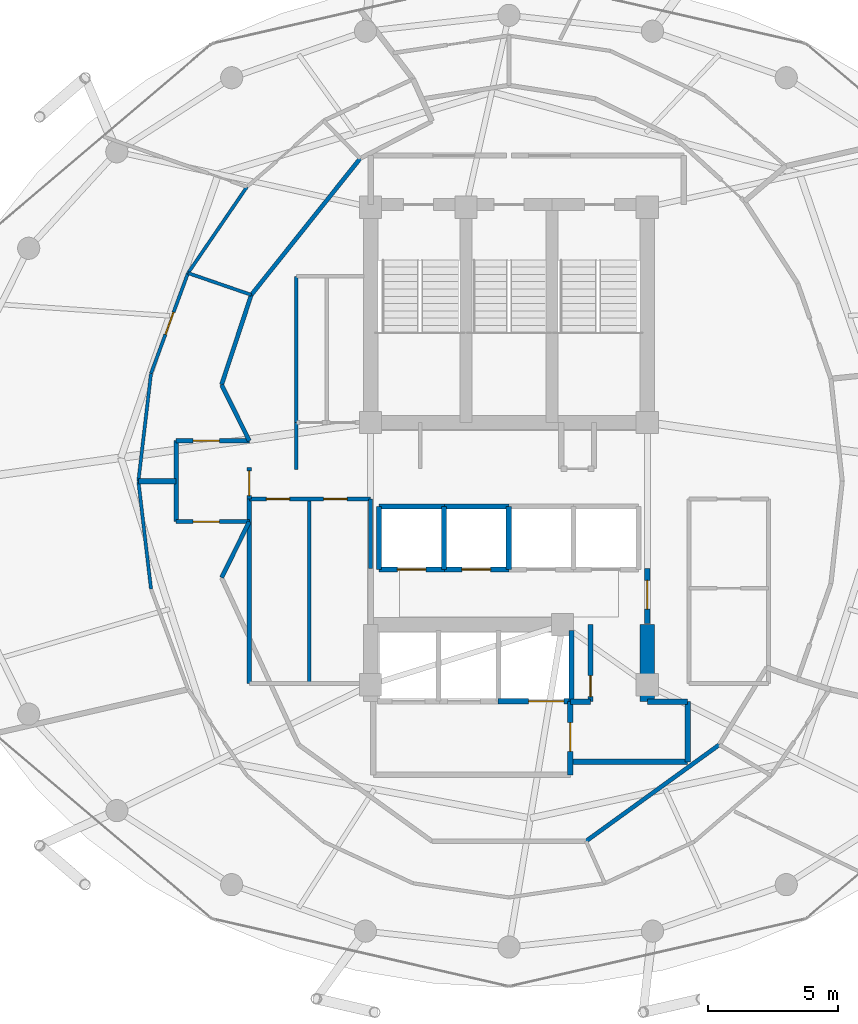
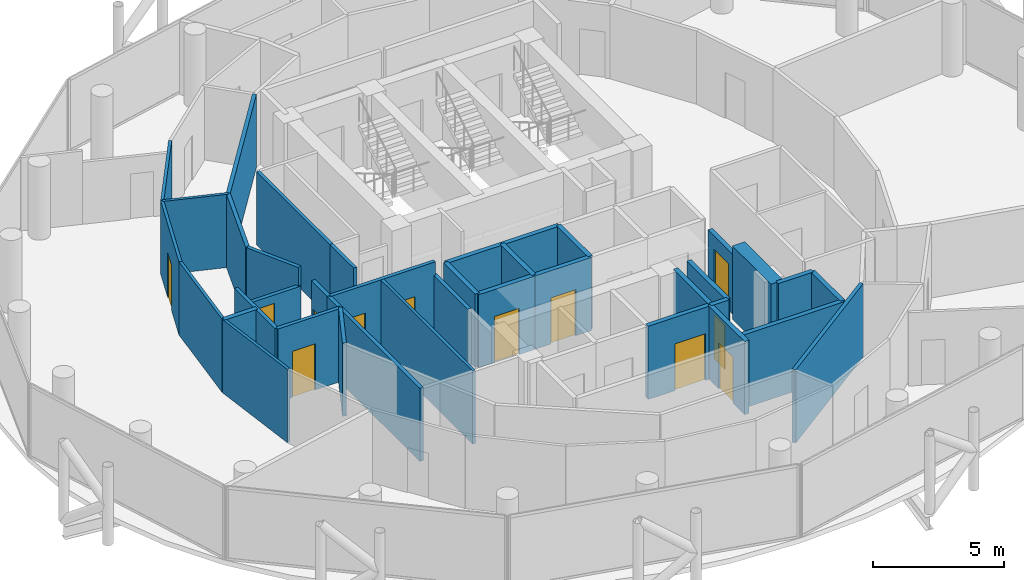
# One storey, part 23 of 27: 38 walls, 12 doors, 12 openings.
"""IFC4 building model written with IfcOpenShell, lengths in metres."""

import ifcopenshell
import ifcopenshell.guid

model = None  # the IFC model being written
_history = None  # IfcOwnerHistory: only IFC2X3 demands one
_inside = {}  # id of a spatial element -> (the spatial element, [elements in it])
_under = {}  # id of a project, library or spatial element -> (it, [spatial elements below it])
_declared = {}  # id of a project -> (the project, [libraries it declares])
_typed = {}  # id of a type object -> (the type object, [elements of that type])
_made_of = {}  # id of a material, layer set ... -> (it, [elements and type objects made of it])


def new_model(schema):
    """Start an empty IFC model of exactly this schema.

    Asked for "IFC4X3", IfcOpenShell would pick the latest addendum, in which some entities
    have other attributes; the version numbers below select the first issue.
    IFC2X3 requires an IfcOwnerHistory on every rooted entity: one is made here for all.
    """
    global model, _history
    if schema == "IFC4X3":
        model = ifcopenshell.file(schema_version=(4, 3, 0, 0))
    else:
        model = ifcopenshell.file(schema=schema)
    _inside.clear()
    _under.clear()
    _declared.clear()
    _typed.clear()
    _made_of.clear()
    _history = None
    if model.schema == "IFC2X3":
        org = make("IfcOrganization", Name="unknown")
        user = make(
            "IfcPersonAndOrganization",
            ThePerson=make("IfcPerson", FamilyName="unknown"),
            TheOrganization=org,
        )
        app = make(
            "IfcApplication",
            ApplicationDeveloper=org,
            Version="unknown",
            ApplicationFullName="unknown",
            ApplicationIdentifier="unknown",
        )
        _history = make(
            "IfcOwnerHistory",
            OwningUser=user,
            OwningApplication=app,
            ChangeAction="ADDED",
            CreationDate=0,
        )
    return model


def make(cls, **values):
    """One entity of the class cls with the attributes given. An attribute that is None is left unset."""
    return model.create_entity(
        cls, **{name: value for name, value in values.items() if value is not None}
    )


def rooted(cls, **values):
    """An entity with a GlobalId (a new one), such as an element, a storey or a relation."""
    return make(cls, GlobalId=ifcopenshell.guid.new(), OwnerHistory=_history, **values)


def si_unit(unit_type, name, prefix=None):
    """IfcSIUnit, for example si_unit("LENGTHUNIT", "METRE", prefix="MILLI")."""
    return make("IfcSIUnit", UnitType=unit_type, Prefix=prefix, Name=name)


def assignment(units):
    """IfcUnitAssignment: the units of a project."""
    return None if units is None else make("IfcUnitAssignment", Units=units)


def point(xyz):
    """IfcCartesianPoint."""
    return None if xyz is None else make("IfcCartesianPoint", Coordinates=xyz)


def direction(xyz):
    """IfcDirection."""
    return None if xyz is None else make("IfcDirection", DirectionRatios=xyz)


def frame(location, z_axis=None, x_axis=None):
    """IfcAxis2Placement3D, a coordinate frame: its origin and axes. An axis left out is left unset."""
    return make(
        "IfcAxis2Placement3D",
        Location=point(location),
        Axis=direction(z_axis),
        RefDirection=direction(x_axis),
    )


def frame_2d(location, x_axis=None):
    """IfcAxis2Placement2D, a coordinate frame in the plane: its origin and x axis."""
    return make(
        "IfcAxis2Placement2D", Location=point(location), RefDirection=direction(x_axis)
    )


def origin():
    """The frame at (0, 0, 0) with its axes left unset."""
    return frame((0.0, 0.0, 0.0))


def place(relative_to, where):
    """IfcLocalPlacement: puts the frame where relative to a parent placement (None: the world)."""
    return make(
        "IfcLocalPlacement", PlacementRelTo=relative_to, RelativePlacement=where
    )


def context(
    kind, dimensions, precision=None, world=None, true_north=None, identifier=None
):
    """IfcGeometricRepresentationContext, for example the 3D "Model" context."""
    return make(
        "IfcGeometricRepresentationContext",
        ContextIdentifier=identifier,
        ContextType=kind,
        CoordinateSpaceDimension=dimensions,
        Precision=precision,
        WorldCoordinateSystem=world,
        TrueNorth=true_north,
    )


def subcontext(parent, identifier, kind, view, scale=None):
    """IfcGeometricRepresentationSubContext, for example "Body" below "Model"."""
    return make(
        "IfcGeometricRepresentationSubContext",
        ContextIdentifier=identifier,
        ContextType=kind,
        ParentContext=parent,
        TargetScale=scale,
        TargetView=view,
    )


def project(units=None, contexts=None):
    """IfcProject with its units and contexts."""
    return rooted(
        "IfcProject",
        Name="project",
        RepresentationContexts=contexts,
        UnitsInContext=assignment(units),
    )


def spatial(cls, under=None, at=None, **own):
    """A site, building, storey or space (cls), placed at a placement, below another one or the project."""
    s = rooted(cls, ObjectPlacement=at, **own)
    if under is not None:
        _under.setdefault(under.id(), (under, []))[1].append(s)
    return s


def profile(cls, at=None, kind="AREA", **sizes):
    """A parametric profile (cls). Its sizes go by their IFC names, for example OverallWidth=200.0."""
    return make(cls, ProfileType=kind, Position=at, **sizes)


def rectangle(**sizes):
    """IfcRectangleProfileDef."""
    return profile("IfcRectangleProfileDef", **sizes)


def extrude(swept, where, along, depth):
    """IfcExtrudedAreaSolid: the profile swept, set in the frame where, extruded along a direction by depth."""
    return make(
        "IfcExtrudedAreaSolid",
        SweptArea=swept,
        Position=where,
        ExtrudedDirection=direction(along),
        Depth=depth,
    )


def shape(context_of_items, identifier, shape_type, items):
    """IfcShapeRepresentation: the items that make up one representation, for example the "Body"."""
    return make(
        "IfcShapeRepresentation",
        ContextOfItems=context_of_items,
        RepresentationIdentifier=identifier,
        RepresentationType=shape_type,
        Items=items,
    )


def material(Name=None, Category=None):
    """IfcMaterial."""
    return make("IfcMaterial", Name=Name, Category=Category)


def layer(
    of_material, thickness, ventilated=None, Name=None, Category=None, Priority=None
):
    """IfcMaterialLayer: one layer of a wall or slab, of a material (None: an air gap)."""
    return make(
        "IfcMaterialLayer",
        Material=of_material,
        LayerThickness=thickness,
        IsVentilated=ventilated,
        Name=Name,
        Category=Category,
        Priority=Priority,
    )


def layer_set(layers, Name=None):
    """IfcMaterialLayerSet."""
    return make("IfcMaterialLayerSet", MaterialLayers=layers, LayerSetName=Name)


def made_of(thing, what):
    """Note that an element or type object is made of a material, layer set ...; save() writes the relation."""
    if what is not None:
        _made_of.setdefault(what.id(), (what, []))[1].append(thing)
    return thing


def type_object(cls, material=None, **own):
    """A type object (cls), such as IfcWallType, which elements share."""
    return made_of(rooted(cls, **own), material)


def element(
    cls,
    number,
    at=None,
    inside=None,
    cuts=None,
    type_object=None,
    material=None,
    context=None,
    identifier="Body",
    shape_type=None,
    held_by="IfcProductDefinitionShape",
    body=None,
    shapes=None,
    **own,
):
    """One element of the class cls, such as IfcWall. Its Tag is "e" and its number.

    at: its placement. inside: the storey or other place that contains it. cuts: it is an
    opening in that element (IfcRelVoidsElement). A single representation is given by context,
    identifier, shape_type and body (its items); several are given by shapes. held_by: the class
    of the entity that holds the representations. save() writes the other relations.
    """
    e = rooted(cls, Tag="e%d" % number, ObjectPlacement=at, **own)
    if body is not None:
        shapes = [shape(context, identifier, shape_type, body)]
    if shapes is not None:
        e.Representation = make(held_by, Representations=shapes)
    if inside is not None:
        _inside.setdefault(inside.id(), (inside, []))[1].append(e)
    if cuts is not None:
        rooted(
            "IfcRelVoidsElement", RelatingBuildingElement=cuts, RelatedOpeningElement=e
        )
    if type_object is not None:
        _typed.setdefault(type_object.id(), (type_object, []))[1].append(e)
    return made_of(e, material)


def fill(opening, filler):
    """IfcRelFillsElement: the door or window that sits in an opening."""
    return rooted(
        "IfcRelFillsElement",
        RelatingOpeningElement=opening,
        RelatedBuildingElement=filler,
    )


def aggregate(whole, parts):
    """IfcRelAggregates: a whole, such as a stair, and the parts it consists of."""
    return rooted("IfcRelAggregates", RelatingObject=whole, RelatedObjects=parts)


def save(model, path):
    """Write the relations noted so far, then the file.

    IfcRelAggregates (storeys below a building ...), IfcRelContainedInSpatialStructure (elements
    in a storey), IfcRelDefinesByType, IfcRelAssociatesMaterial and IfcRelDeclares: one each for
    every whole, place, type object, material and project.
    """
    for whole, parts in _under.values():
        aggregate(whole, parts)
    for where, things in _inside.values():
        rooted(
            "IfcRelContainedInSpatialStructure",
            RelatedElements=things,
            RelatingStructure=where,
        )
    for kind, things in _typed.values():
        rooted("IfcRelDefinesByType", RelatedObjects=things, RelatingType=kind)
    for what, things in _made_of.values():
        rooted("IfcRelAssociatesMaterial", RelatedObjects=things, RelatingMaterial=what)
    for by, libraries in _declared.values():
        rooted("IfcRelDeclares", RelatingContext=by, RelatedDefinitions=libraries)
    model.write(path)


model = new_model("IFC4")

# Units and contexts
model_context = context("Model", 3, precision=1e-05, world=origin(), true_north=direction((0.0, 1.0)))
body_context = subcontext(model_context, "Body", "Model", "MODEL_VIEW")
ifc_project = project(units=[si_unit("LENGTHUNIT", "METRE"), si_unit("AREAUNIT", "SQUARE_METRE"), si_unit("VOLUMEUNIT", "CUBIC_METRE"), si_unit("PLANEANGLEUNIT", "RADIAN"), si_unit("MASSUNIT", "GRAM", prefix="KILO")], contexts=[model_context])

# Site, building, storey
site_placement = place(None, origin())
site = spatial("IfcSite", under=ifc_project, at=site_placement, CompositionType="ELEMENT")
building_placement = place(site_placement, origin())
building = spatial("IfcBuilding", under=site, at=building_placement, Name="Nuhasar Tower", CompositionType="ELEMENT")
storey_placement = place(building_placement, frame((0.0, 0.0, 215.449951171875)))
storey = spatial("IfcBuildingStorey", under=building, at=storey_placement, Name="L52", CompositionType="ELEMENT", Elevation=215.449951171875)

# Walls
ifc_material_1 = material(Name="Concrete C55/67", Category="concrete")
ifc_layer_1 = layer(ifc_material_1, 0.550048828125)
ifc_layer_set_1 = layer_set([ifc_layer_1], Name="Concrete C55/67")
wall_type_1 = type_object("IfcWallType", Name="WL-CORE-550", PredefinedType="SHEAR", material=ifc_layer_set_1)
wall_1_placement = place(storey_placement, frame((44.300048828125, 18.35009765625, 0.0), z_axis=(0.0, 0.0, 1.0), x_axis=(0.0, 1.0, 0.0)))
element("IfcWall", 1, at=wall_1_placement, inside=storey, type_object=wall_type_1, Name="L52 Core Shear Wall CW-SE CW-550", PredefinedType="SHEAR", context=body_context, shape_type="SweptSolid", body=[
    extrude(rectangle(XDim=2.949951171875, YDim=0.550048828125, at=frame_2d((1.47509765625, 0.0))), origin(), (0.0, 0.0, 1.0), 3.41015625),
])
ifc_material_2 = material(Name="Gypsum Board", Category="gypsum")
ifc_layer_2 = layer(ifc_material_2, 0.159912109375)
ifc_layer_set_2 = layer_set([ifc_layer_2], Name="Gypsum Board")
wall_type_2 = type_object("IfcWallType", Name="WL-CORR-160", PredefinedType="PARTITIONING", material=ifc_layer_set_2)
wall_2_placement = place(storey_placement, frame((29.050048828125, 19.050048828125, 0.0), z_axis=(0.0, 0.0, 1.0), x_axis=(0.0, 1.0, 0.0)))
element("IfcWall", 2, at=wall_2_placement, inside=storey, type_object=wall_type_2, Name="L52 Interior Partition RECL-B1-W", PredefinedType="PARTITIONING", context=body_context, shape_type="SweptSolid", body=[
    extrude(rectangle(XDim=7.070068359375, YDim=0.159912109375, at=frame_2d((3.53515625, 0.0))), origin(), (0.0, 0.0, 1.0), 3.41015625),
])
wall_3_placement = place(storey_placement, frame((33.699951171875, 23.449951171875, 0.0), z_axis=(0.0, 0.0, 1.0), x_axis=(0.0, 1.0, 0.0)))
element("IfcWall", 3, at=wall_3_placement, inside=storey, type_object=wall_type_2, Name="L52 Interior Partition RECL-B1-E", PredefinedType="PARTITIONING", context=body_context, shape_type="SweptSolid", body=[
    extrude(rectangle(XDim=2.670166015625, YDim=0.159912109375, at=frame_2d((1.3349609375, 0.0))), origin(), (0.0, 0.0, 1.0), 2.795166015625),
])

# Wall, openings, doors
wall_4_placement = place(storey_placement, frame((33.699951171875, 26.1201171875, 0.0), z_axis=(0.0, 0.0, 1.0), x_axis=(-1.0, 0.0, 0.0)))
wall_4 = element("IfcWall", 4, at=wall_4_placement, inside=storey, type_object=wall_type_2, Name="L52 Interior Partition RECL-B1-N", PredefinedType="PARTITIONING", context=body_context, shape_type="SweptSolid", body=[
    extrude(rectangle(XDim=4.64990234375, YDim=0.159912109375, at=frame_2d((2.324951171875, 0.0))), origin(), (0.0, 0.0, 1.0), 3.41015625),
])
opening_1_placement = place(wall_4_placement, frame((3.10009765625, 0.0, 0.0)))
opening_1 = element("IfcOpeningElement", 5, at=opening_1_placement, cuts=wall_4, Name="Opening DR-01", PredefinedType="OPENING", context=body_context, shape_type="SweptSolid", body=[
    extrude(rectangle(XDim=0.89990234375, YDim=2.10009765625, at=frame_2d((0.449951171875, 1.050048828125))), frame((0.0, 0.08984375, 0.0), z_axis=(0.0, -1.0, 0.0), x_axis=(1.0, 0.0, 0.0)), (0.0, 0.0, 1.0), 0.179931640625),
])
opening_2_placement = place(wall_4_placement, frame((0.89990234375, 0.0, 0.0)))
opening_2 = element("IfcOpeningElement", 6, at=opening_2_placement, cuts=wall_4, Name="Opening DR-01", PredefinedType="OPENING", context=body_context, shape_type="SweptSolid", body=[
    extrude(rectangle(XDim=0.89990234375, YDim=2.10009765625, at=frame_2d((0.449951171875, 1.050048828125))), frame((0.0, 0.08984375, 0.0), z_axis=(0.0, -1.0, 0.0), x_axis=(1.0, 0.0, 0.0)), (0.0, 0.0, 1.0), 0.179931640625),
])
ifc_material_3 = material(Name="Timber Oak", Category="wood")
door_type_1 = type_object("IfcDoorType", Name="DR-ROOM-900", OperationType="NOTDEFINED", PredefinedType="DOOR", material=ifc_material_3)
door_1_placement = place(opening_1_placement, origin())
door_1 = element("IfcDoor", 7, at=door_1_placement, inside=storey, type_object=door_type_1, Name="L52 Housekeeping Door", OperationType="SINGLE_SWING_RIGHT", OverallHeight=2.10009765625, OverallWidth=0.89990234375, PredefinedType="DOOR", context=body_context, shape_type="SweptSolid", body=[
    extrude(rectangle(XDim=0.89990234375, YDim=2.10009765625, at=frame_2d((0.449951171875, 1.050048828125))), frame((0.0, 0.02490234375, 0.0), z_axis=(0.0, -1.0, 0.0), x_axis=(1.0, 0.0, 0.0)), (0.0, 0.0, 1.0), 0.050048828125),
])
fill(opening_1, door_1)
door_2_placement = place(opening_2_placement, origin())
door_2 = element("IfcDoor", 8, at=door_2_placement, inside=storey, type_object=door_type_1, Name="L52 Valet Pantry Door", OperationType="SINGLE_SWING_LEFT", OverallHeight=2.10009765625, OverallWidth=0.89990234375, PredefinedType="DOOR", context=body_context, shape_type="SweptSolid", body=[
    extrude(rectangle(XDim=0.89990234375, YDim=2.10009765625, at=frame_2d((0.449951171875, 1.050048828125))), frame((0.0, 0.02490234375, 0.0), z_axis=(0.0, -1.0, 0.0), x_axis=(1.0, 0.0, 0.0)), (0.0, 0.0, 1.0), 0.050048828125),
])
fill(opening_2, door_2)

# Wall, opening, door
wall_5_placement = place(storey_placement, frame((29.050048828125, 26.1201171875, 0.0), z_axis=(0.0, 0.0, 1.0), x_axis=(0.0, 1.0, 0.0)))
wall_5 = element("IfcWall", 9, at=wall_5_placement, inside=storey, type_object=wall_type_2, Name="L52 Interior Partition WVEST-E", PredefinedType="PARTITIONING", context=body_context, shape_type="SweptSolid", body=[
    extrude(rectangle(XDim=1.199951171875, YDim=0.159912109375, at=frame_2d((0.60009765625, 0.0))), origin(), (0.0, 0.0, 1.0), 3.41015625),
])
opening_3_placement = place(wall_5_placement, frame((0.125, 0.0, 0.0)))
opening_3 = element("IfcOpeningElement", 10, at=opening_3_placement, cuts=wall_5, Name="Opening DO-01", PredefinedType="OPENING", context=body_context, shape_type="SweptSolid", body=[
    extrude(rectangle(XDim=0.949951171875, YDim=2.14990234375, at=frame_2d((0.47509765625, 1.074951171875))), frame((0.0, 0.08984375, 0.0), z_axis=(0.0, -1.0, 0.0), x_axis=(1.0, 0.0, 0.0)), (0.0, 0.0, 1.0), 0.179931640625),
])
door_type_2 = type_object("IfcDoorType", Name="DR-OFFICE-FD30-950", OperationType="NOTDEFINED", PredefinedType="DOOR", material=ifc_material_3)
door_3_placement = place(opening_3_placement, origin())
door_3 = element("IfcDoor", 11, at=door_3_placement, inside=storey, type_object=door_type_2, Name="L52 West Arrival Foyer Core Door", OperationType="SINGLE_SWING_RIGHT", OverallHeight=2.14990234375, OverallWidth=0.949951171875, PredefinedType="DOOR", context=body_context, shape_type="SweptSolid", body=[
    extrude(rectangle(XDim=0.949951171875, YDim=2.14990234375, at=frame_2d((0.47509765625, 1.074951171875))), frame((0.0, 0.02490234375, 0.0), z_axis=(0.0, -1.0, 0.0), x_axis=(1.0, 0.0, 0.0)), (0.0, 0.0, 1.0), 0.050048828125),
])
fill(opening_3, door_3)

# Walls
wall_6_placement = place(storey_placement, frame((33.300048828125, 39.1669921875, 0.0), z_axis=(0.0, 0.0, 1.0), x_axis=(-0.623915746766, -0.781491612839, 0.0)))
element("IfcWall", 12, at=wall_6_placement, inside=storey, type_object=wall_type_2, Name="L52 Interior Partition UWEST-CORE-N2-16", PredefinedType="PARTITIONING", context=body_context, shape_type="SweptSolid", body=[
    extrude(rectangle(XDim=6.6884765625, YDim=0.159912109375, at=frame_2d((3.34423828125, 0.0))), origin(), (0.0, 0.0, 1.0), 3.41015625),
])
wall_7_placement = place(storey_placement, frame((29.126953125, 33.93994140625, 0.0), z_axis=(0.0, 0.0, 1.0), x_axis=(-0.313985571683, -0.949427754374, 0.0)))
element("IfcWall", 13, at=wall_7_placement, inside=storey, type_object=wall_type_2, Name="L52 Interior Partition UWEST-CORE-N2-20", PredefinedType="PARTITIONING", context=body_context, shape_type="SweptSolid", body=[
    extrude(rectangle(XDim=3.627197265625, YDim=0.159912109375, at=frame_2d((1.8134765625, 0.0))), origin(), (0.0, 0.0, 1.0), 3.41015625),
])
wall_8_placement = place(storey_placement, frame((41.950927734375, 13.007080078125, 0.0), z_axis=(0.0, 0.0, 1.0), x_axis=(0.810290119061, 0.586028943784, 0.0)))
element("IfcWall", 14, at=wall_8_placement, inside=storey, type_object=wall_type_2, Name="L52 Interior Partition UWEST-CORE-S1-38", PredefinedType="PARTITIONING", context=body_context, shape_type="SweptSolid", body=[
    extrude(rectangle(XDim=6.306396484375, YDim=0.159912109375, at=frame_2d((3.1533203125, 0.0))), origin(), (0.0, 0.0, 1.0), 3.41015625),
])

# Wall, opening, door
wall_9_placement = place(storey_placement, frame((26.25, 28.35009765625, 0.0), z_axis=(0.0, 0.0, 1.0), x_axis=(1.0, 0.0, 0.0)))
wall_9 = element("IfcWall", 15, at=wall_9_placement, inside=storey, type_object=wall_type_2, Name="L52 Interior Partition WVEST-N", PredefinedType="PARTITIONING", context=body_context, shape_type="SweptSolid", body=[
    extrude(rectangle(XDim=2.800048828125, YDim=0.159912109375, at=frame_2d((1.39990234375, 0.0))), origin(), (0.0, 0.0, 1.0), 2.550048828125),
])
opening_4_placement = place(wall_9_placement, frame((0.64990234375, 0.0, 0.0)))
opening_4 = element("IfcOpeningElement", 16, at=opening_4_placement, cuts=wall_9, Name="Opening DU-02", PredefinedType="OPENING", context=body_context, shape_type="SweptSolid", body=[
    extrude(rectangle(XDim=1.0, YDim=2.14990234375, at=frame_2d((0.5, 1.074951171875))), frame((0.0, 0.08984375, 0.0), z_axis=(0.0, -1.0, 0.0), x_axis=(1.0, 0.0, 0.0)), (0.0, 0.0, 1.0), 0.179931640625),
])
door_type_3 = type_object("IfcDoorType", Name="DR-FLAT-FD60-1000", OperationType="NOTDEFINED", PredefinedType="DOOR", material=ifc_material_3)
door_4_placement = place(opening_4_placement, origin())
door_4 = element("IfcDoor", 17, at=door_4_placement, inside=storey, type_object=door_type_3, Name="L52 North-West Sky Home Entrance", OperationType="SINGLE_SWING_LEFT", OverallHeight=2.14990234375, OverallWidth=1.0, PredefinedType="DOOR", context=body_context, shape_type="SweptSolid", body=[
    extrude(rectangle(XDim=1.0, YDim=2.14990234375, at=frame_2d((0.5, 1.074951171875))), frame((0.0, 0.02490234375, 0.0), z_axis=(0.0, -1.0, 0.0), x_axis=(1.0, 0.0, 0.0)), (0.0, 0.0, 1.0), 0.050048828125),
])
fill(opening_4, door_4)

wall_10_placement = place(storey_placement, frame((26.25, 25.25, 0.0), z_axis=(0.0, 0.0, 1.0), x_axis=(1.0, 0.0, 0.0)))
wall_10 = element("IfcWall", 18, at=wall_10_placement, inside=storey, type_object=wall_type_2, Name="L52 Interior Partition WVEST-S", PredefinedType="PARTITIONING", context=body_context, shape_type="SweptSolid", body=[
    extrude(rectangle(XDim=2.800048828125, YDim=0.159912109375, at=frame_2d((1.39990234375, 0.0))), origin(), (0.0, 0.0, 1.0), 3.41015625),
])
opening_5_placement = place(wall_10_placement, frame((0.64990234375, 0.0, 0.0)))
opening_5 = element("IfcOpeningElement", 19, at=opening_5_placement, cuts=wall_10, Name="Opening DU-02", PredefinedType="OPENING", context=body_context, shape_type="SweptSolid", body=[
    extrude(rectangle(XDim=1.0, YDim=2.14990234375, at=frame_2d((0.5, 1.074951171875))), frame((0.0, 0.08984375, 0.0), z_axis=(0.0, -1.0, 0.0), x_axis=(1.0, 0.0, 0.0)), (0.0, 0.0, 1.0), 0.179931640625),
])
door_5_placement = place(opening_5_placement, origin())
door_5 = element("IfcDoor", 20, at=door_5_placement, inside=storey, type_object=door_type_3, Name="L52 South-West Sky Home Entrance", OperationType="SINGLE_SWING_LEFT", OverallHeight=2.14990234375, OverallWidth=1.0, PredefinedType="DOOR", context=body_context, shape_type="SweptSolid", body=[
    extrude(rectangle(XDim=1.0, YDim=2.14990234375, at=frame_2d((0.5, 1.074951171875))), frame((0.0, 0.02490234375, 0.0), z_axis=(0.0, -1.0, 0.0), x_axis=(1.0, 0.0, 0.0)), (0.0, 0.0, 1.0), 0.050048828125),
])
fill(opening_5, door_5)

# Walls
wall_11_placement = place(storey_placement, frame((26.25, 25.25, 0.0), z_axis=(0.0, 0.0, 1.0), x_axis=(0.0, 1.0, 0.0)))
element("IfcWall", 21, at=wall_11_placement, inside=storey, type_object=wall_type_2, Name="L52 Interior Partition WVEST-W", PredefinedType="PARTITIONING", context=body_context, shape_type="SweptSolid", body=[
    extrude(rectangle(XDim=3.10009765625, YDim=0.159912109375, at=frame_2d((1.550048828125, 0.0))), origin(), (0.0, 0.0, 1.0), 3.41015625),
])
for number, where, z_axis, x_axis, name in (
    (22, (27.988037109375, 30.49609375, 0.0), (0.0, 0.0, 1.0), (0.443539160525, -0.896254993337, 0.0), "L52 Interior Partition WVEST-CN"),
    (23, (27.988037109375, 23.10400390625, 0.0), (0.0, 0.0, 1.0), (0.443539160525, 0.896254993337, 0.0), "L52 Interior Partition WVEST-CS"),
):
    element("IfcWall", number, at=place(storey_placement, frame(where, z_axis=z_axis, x_axis=x_axis)), inside=storey, type_object=wall_type_2, Name=name, PredefinedType="PARTITIONING", context=body_context, shape_type="SweptSolid", body=[
        extrude(rectangle(XDim=2.394287109375, YDim=0.159912109375, at=frame_2d((1.197265625, 0.0))), origin(), (0.0, 0.0, 1.0), 3.41015625),
    ])

# Wall, opening, door
ifc_material_4 = material(Name="Concrete C45/55", Category="concrete")
ifc_layer_3 = layer(ifc_material_4, 0.199951171875)
ifc_layer_set_3 = layer_set([ifc_layer_3], Name="Concrete C45/55")
wall_type_3 = type_object("IfcWallType", Name="WL-LOBBY-200", PredefinedType="SOLIDWALL", material=ifc_layer_set_3)
wall_12_placement = place(storey_placement, frame((44.300048828125, 21.35009765625, 0.0), z_axis=(0.0, 0.0, 1.0), x_axis=(0.0, 1.0, 0.0)))
wall_12 = element("IfcWall", 24, at=wall_12_placement, inside=storey, type_object=wall_type_3, Name="L52 Interior Partition LLBH-E", PredefinedType="SOLIDWALL", context=body_context, shape_type="SweptSolid", body=[
    extrude(rectangle(XDim=2.099853515625, YDim=0.199951171875, at=frame_2d((1.0498046875, 0.0))), origin(), (0.0, 0.0, 1.0), 2.795166015625),
])
opening_6_placement = place(wall_12_placement, frame((0.550048828125, 0.0, 0.0)))
opening_6 = element("IfcOpeningElement", 25, at=opening_6_placement, cuts=wall_12, Name="Opening DS-02", PredefinedType="OPENING", context=body_context, shape_type="SweptSolid", body=[
    extrude(rectangle(XDim=1.10009765625, YDim=2.14990234375, at=frame_2d((0.550048828125, 1.074951171875))), frame((0.0, 0.10986328125, 0.0), z_axis=(0.0, -1.0, 0.0), x_axis=(1.0, 0.0, 0.0)), (0.0, 0.0, 1.0), 0.219970703125),
])
ifc_material_5 = material(Name="Steel S355", Category="steel")
door_type_4 = type_object("IfcDoorType", Name="DR-FFL-FD120-1100", OperationType="NOTDEFINED", PredefinedType="DOOR", material=ifc_material_5)
door_6_placement = place(opening_6_placement, origin())
door_6 = element("IfcDoor", 26, at=door_6_placement, inside=storey, type_object=door_type_4, Name="L52 High-Rise Lobby East Door", OperationType="SINGLE_SWING_RIGHT", OverallHeight=2.14990234375, OverallWidth=1.10009765625, PredefinedType="DOOR", context=body_context, shape_type="SweptSolid", body=[
    extrude(rectangle(XDim=1.10009765625, YDim=2.14990234375, at=frame_2d((0.550048828125, 1.074951171875))), frame((0.0, 0.02490234375, 0.0), z_axis=(0.0, -1.0, 0.0), x_axis=(1.0, 0.0, 0.0)), (0.0, 0.0, 1.0), 0.050048828125),
])
fill(opening_6, door_6)

wall_13_placement = place(storey_placement, frame((41.35009765625, 15.550048828125, 0.0), z_axis=(0.0, 0.0, 1.0), x_axis=(0.0, 1.0, 0.0)))
wall_13 = element("IfcWall", 27, at=wall_13_placement, inside=storey, type_object=wall_type_3, Name="L52 Interior Partition FFL-E", PredefinedType="SOLIDWALL", context=body_context, shape_type="SweptSolid", body=[
    extrude(rectangle(XDim=2.800048828125, YDim=0.199951171875, at=frame_2d((1.39990234375, 0.0))), origin(), (0.0, 0.0, 1.0), 3.41015625),
])
opening_7_placement = place(wall_13_placement, frame((0.89990234375, 0.0, 0.0)))
opening_7 = element("IfcOpeningElement", 28, at=opening_7_placement, cuts=wall_13, Name="Opening DS-02", PredefinedType="OPENING", context=body_context, shape_type="SweptSolid", body=[
    extrude(rectangle(XDim=1.10009765625, YDim=2.14990234375, at=frame_2d((0.550048828125, 1.074951171875))), frame((0.0, 0.10986328125, 0.0), z_axis=(0.0, -1.0, 0.0), x_axis=(1.0, 0.0, 0.0)), (0.0, 0.0, 1.0), 0.219970703125),
])
door_7_placement = place(opening_7_placement, origin())
door_7 = element("IfcDoor", 29, at=door_7_placement, inside=storey, type_object=door_type_4, Name="L52 Firefighting Lobby Door", OperationType="SINGLE_SWING_RIGHT", OverallHeight=2.14990234375, OverallWidth=1.10009765625, PredefinedType="DOOR", context=body_context, shape_type="SweptSolid", body=[
    extrude(rectangle(XDim=1.10009765625, YDim=2.14990234375, at=frame_2d((0.550048828125, 1.074951171875))), frame((0.0, 0.02490234375, 0.0), z_axis=(0.0, -1.0, 0.0), x_axis=(1.0, 0.0, 0.0)), (0.0, 0.0, 1.0), 0.050048828125),
])
fill(opening_7, door_7)

# Walls
wall_14_placement = place(storey_placement, frame((41.35009765625, 16.050048828125, 0.0), z_axis=(0.0, 0.0, 1.0), x_axis=(1.0, 0.0, 0.0)))
element("IfcWall", 30, at=wall_14_placement, inside=storey, type_object=wall_type_3, Name="L52 Interior Partition SVLV-S", PredefinedType="SOLIDWALL", context=body_context, shape_type="SweptSolid", body=[
    extrude(rectangle(XDim=4.5, YDim=0.199951171875, at=frame_2d((2.25, 0.0))), origin(), (0.0, 0.0, 1.0), 3.41015625),
])
wall_15_placement = place(storey_placement, frame((45.85009765625, 16.050048828125, 0.0), z_axis=(0.0, 0.0, 1.0), x_axis=(0.0, 1.0, 0.0)))
element("IfcWall", 31, at=wall_15_placement, inside=storey, type_object=wall_type_3, Name="L52 Interior Partition SVLV-E", PredefinedType="SOLIDWALL", context=body_context, shape_type="SweptSolid", body=[
    extrude(rectangle(XDim=2.300048828125, YDim=0.199951171875, at=frame_2d((1.14990234375, 0.0))), origin(), (0.0, 0.0, 1.0), 3.41015625),
])
wall_16_placement = place(storey_placement, frame((44.300048828125, 18.35009765625, 0.0), z_axis=(0.0, 0.0, 1.0), x_axis=(1.0, 0.0, 0.0)))
element("IfcWall", 32, at=wall_16_placement, inside=storey, type_object=wall_type_3, Name="L52 Interior Partition SVLV-N", PredefinedType="SOLIDWALL", context=body_context, shape_type="SweptSolid", body=[
    extrude(rectangle(XDim=1.550048828125, YDim=0.199951171875, at=frame_2d((0.77490234375, 0.0))), origin(), (0.0, 0.0, 1.0), 3.41015625),
])
ifc_layer_4 = layer(ifc_material_2, 0.125)
ifc_layer_set_4 = layer_set([ifc_layer_4], Name="Gypsum Board")
wall_type_4 = type_object("IfcWallType", Name="WL-PART-125", PredefinedType="PARTITIONING", material=ifc_layer_set_4)
wall_17_placement = place(storey_placement, frame((31.35009765625, 19.050048828125, 0.0), z_axis=(0.0, 0.0, 1.0), x_axis=(0.0, 1.0, 0.0)))
element("IfcWall", 33, at=wall_17_placement, inside=storey, type_object=wall_type_4, Name="L52 Interior Partition RECL-B1-V", PredefinedType="PARTITIONING", context=body_context, shape_type="SweptSolid", body=[
    extrude(rectangle(XDim=7.070068359375, YDim=0.125, at=frame_2d((3.53515625, 0.0))), origin(), (0.0, 0.0, 1.0), 3.41015625),
])
wall_18_placement = place(storey_placement, frame((29.126953125, 33.93994140625, 0.0), z_axis=(0.0, 0.0, 1.0), x_axis=(-0.945524617104, 0.325550608124, 0.0)))
element("IfcWall", 34, at=wall_18_placement, inside=storey, type_object=wall_type_4, Name="L52 Interior Partition USI-1-KD", PredefinedType="PARTITIONING", context=body_context, shape_type="SweptSolid", body=[
    extrude(rectangle(XDim=2.564697265625, YDim=0.125, at=frame_2d((1.2822265625, 0.0))), origin(), (0.0, 0.0, 1.0), 3.41015625),
])
wall_19_placement = place(storey_placement, frame((28.958984375, 38.077880859375, 0.0), z_axis=(0.0, 0.0, 1.0), x_axis=(-0.56419813198, -0.825639429697, 0.0)))
element("IfcWall", 35, at=wall_19_placement, inside=storey, type_object=wall_type_4, Name="L52 Interior Partition USM-1-K-18", PredefinedType="PARTITIONING", context=body_context, shape_type="SweptSolid", body=[
    extrude(rectangle(XDim=4.00048828125, YDim=0.125, at=frame_2d((2.000244140625, 0.0))), origin(), (0.0, 0.0, 1.0), 3.41015625),
])

# Wall, opening, door
wall_20_placement = place(storey_placement, frame((25.283935546875, 30.927978515625, 0.0), z_axis=(0.0, 0.0, 1.0), x_axis=(0.345851608983, 0.938289222236, 0.0)))
wall_20 = element("IfcWall", 36, at=wall_20_placement, inside=storey, type_object=wall_type_4, Name="L52 Interior Partition USM-1-D-20", PredefinedType="PARTITIONING", context=body_context, shape_type="SweptSolid", body=[
    extrude(rectangle(XDim=4.099853515625, YDim=0.125, at=frame_2d((2.0498046875, 0.0))), origin(), (0.0, 0.0, 1.0), 3.41015625),
])
opening_8_placement = place(wall_20_placement, frame((1.60009765625, 0.0, 0.0)))
opening_8 = element("IfcOpeningElement", 37, at=opening_8_placement, cuts=wall_20, Name="Opening DR-01", PredefinedType="OPENING", context=body_context, shape_type="SweptSolid", body=[
    extrude(rectangle(XDim=0.89990234375, YDim=2.10009765625, at=frame_2d((0.449951171875, 1.050048828125))), frame((0.0, 0.072509765625, 0.0), z_axis=(0.0, -1.0, 0.0), x_axis=(1.0, 0.0, 0.0)), (0.0, 0.0, 1.0), 0.14501953125),
])
door_8_placement = place(opening_8_placement, origin())
door_8 = element("IfcDoor", 38, at=door_8_placement, inside=storey, type_object=door_type_1, Name="L52 North-West Sky Home Living Door", OperationType="SINGLE_SWING_LEFT", OverallHeight=2.10009765625, OverallWidth=0.89990234375, PredefinedType="DOOR", context=body_context, shape_type="SweptSolid", body=[
    extrude(rectangle(XDim=0.89990234375, YDim=2.10009765625, at=frame_2d((0.449951171875, 1.050048828125))), frame((0.0, 0.02490234375, 0.0), z_axis=(0.0, -1.0, 0.0), x_axis=(1.0, 0.0, 0.0)), (0.0, 0.0, 1.0), 0.050048828125),
])
fill(opening_8, door_8)

# Walls
for number, where, z_axis, x_axis, name in (
    (39, (25.283935546875, 30.927978515625, 0.0), (0.0, 0.0, 1.0), (-0.116425436493, -0.993199435027, 0.0), "L52 Interior Partition USM-1-D-22"),
    (40, (24.800048828125, 26.800048828125, 0.0), (0.0, 0.0, 1.0), (0.116425436493, -0.993199435027, 0.0), "L52 Interior Partition USM-1-D-24"),
):
    element("IfcWall", number, at=place(storey_placement, frame(where, z_axis=z_axis, x_axis=x_axis)), inside=storey, type_object=wall_type_4, Name=name, PredefinedType="PARTITIONING", context=body_context, shape_type="SweptSolid", body=[
        extrude(rectangle(XDim=4.15625, YDim=0.125, at=frame_2d((2.078125, 0.0))), origin(), (0.0, 0.0, 1.0), 3.41015625),
    ])

# Wall, opening, door
ifc_layer_5 = layer(ifc_material_4, 0.199951171875)
ifc_layer_set_5 = layer_set([ifc_layer_5], Name="Concrete C45/55")
wall_type_5 = type_object("IfcWallType", Name="WL-SHAFT-200", PredefinedType="SOLIDWALL", material=ifc_layer_set_5)
wall_21_placement = place(storey_placement, frame((34.02001953125, 23.419921875, 0.0), z_axis=(0.0, 0.0, 1.0), x_axis=(1.0, 0.0, 0.0)))
wall_21 = element("IfcWall", 41, at=wall_21_placement, inside=storey, type_object=wall_type_5, Name="L52 Interior Partition SHF-PL-H01-S", PredefinedType="SOLIDWALL", context=body_context, shape_type="SweptSolid", body=[
    extrude(rectangle(XDim=2.5, YDim=0.199951171875, at=frame_2d((1.25, 0.0))), origin(), (0.0, 0.0, 1.0), 3.41015625),
])
opening_9_placement = place(wall_21_placement, frame((0.699951171875, 0.0, 0.0)))
opening_9 = element("IfcOpeningElement", 42, at=opening_9_placement, cuts=wall_21, Name="Opening LD-H01", PredefinedType="OPENING", context=body_context, shape_type="SweptSolid", body=[
    extrude(rectangle(XDim=1.10009765625, YDim=2.14990234375, at=frame_2d((0.550048828125, 1.074951171875))), frame((0.0, 0.10986328125, 0.0), z_axis=(0.0, -1.0, 0.0), x_axis=(1.0, 0.0, 0.0)), (0.0, 0.0, 1.0), 0.219970703125),
])
ifc_material_6 = material(Name="Stainless Steel 316L", Category="steel")
door_type_5 = type_object("IfcDoorType", Name="LD-PAX-1100", OperationType="DOUBLE_DOOR_SLIDING", PredefinedType="DOOR", material=ifc_material_6)
door_9_placement = place(opening_9_placement, origin())
door_9 = element("IfcDoor", 43, at=door_9_placement, inside=storey, type_object=door_type_5, Name="L52 Lift Landing Door PL-H01", OperationType="DOUBLE_DOOR_SLIDING", OverallHeight=2.14990234375, OverallWidth=1.10009765625, PredefinedType="DOOR", context=body_context, shape_type="SweptSolid", body=[
    extrude(rectangle(XDim=1.10009765625, YDim=2.14990234375, at=frame_2d((0.550048828125, 1.074951171875))), frame((0.0, 0.02490234375, 0.0), z_axis=(0.0, -1.0, 0.0), x_axis=(1.0, 0.0, 0.0)), (0.0, 0.0, 1.0), 0.050048828125),
])
fill(opening_9, door_9)

# Walls
wall_22_placement = place(storey_placement, frame((34.02001953125, 25.830078125, 0.0), z_axis=(0.0, 0.0, 1.0), x_axis=(1.0, 0.0, 0.0)))
element("IfcWall", 44, at=wall_22_placement, inside=storey, type_object=wall_type_5, Name="L52 Interior Partition SHF-PL-H01-N", PredefinedType="SOLIDWALL", context=body_context, shape_type="SweptSolid", body=[
    extrude(rectangle(XDim=2.5, YDim=0.199951171875, at=frame_2d((1.25, 0.0))), origin(), (0.0, 0.0, 1.0), 3.41015625),
])
for number, where, z_axis, x_axis, name in (
    (45, (34.02001953125, 23.419921875, 0.0), (0.0, 0.0, 1.0), (0.0, 1.0, 0.0), "L52 Interior Partition SHF-PL-H01-W"),
    (46, (36.510009765625, 23.419921875, 0.0), (0.0, 0.0, 1.0), (0.0, 1.0, 0.0), "L52 Interior Partition SHF-PL-H01-E"),
):
    element("IfcWall", number, at=place(storey_placement, frame(where, z_axis=z_axis, x_axis=x_axis)), inside=storey, type_object=wall_type_5, Name=name, PredefinedType="SOLIDWALL", context=body_context, shape_type="SweptSolid", body=[
        extrude(rectangle(XDim=2.41015625, YDim=0.199951171875, at=frame_2d((1.205078125, 0.0))), origin(), (0.0, 0.0, 1.0), 3.41015625),
    ])

# Wall, opening, door
wall_23_placement = place(storey_placement, frame((36.5, 23.419921875, 0.0), z_axis=(0.0, 0.0, 1.0), x_axis=(1.0, 0.0, 0.0)))
wall_23 = element("IfcWall", 47, at=wall_23_placement, inside=storey, type_object=wall_type_5, Name="L52 Interior Partition SHF-PL-H02-S", PredefinedType="SOLIDWALL", context=body_context, shape_type="SweptSolid", body=[
    extrude(rectangle(XDim=2.5, YDim=0.199951171875, at=frame_2d((1.25, 0.0))), origin(), (0.0, 0.0, 1.0), 3.41015625),
])
opening_10_placement = place(wall_23_placement, frame((0.699951171875, 0.0, 0.0)))
opening_10 = element("IfcOpeningElement", 48, at=opening_10_placement, cuts=wall_23, Name="Opening LD-H02", PredefinedType="OPENING", context=body_context, shape_type="SweptSolid", body=[
    extrude(rectangle(XDim=1.10009765625, YDim=2.14990234375, at=frame_2d((0.550048828125, 1.074951171875))), frame((0.0, 0.10986328125, 0.0), z_axis=(0.0, -1.0, 0.0), x_axis=(1.0, 0.0, 0.0)), (0.0, 0.0, 1.0), 0.219970703125),
])
door_10_placement = place(opening_10_placement, origin())
door_10 = element("IfcDoor", 49, at=door_10_placement, inside=storey, type_object=door_type_5, Name="L52 Lift Landing Door PL-H02", OperationType="DOUBLE_DOOR_SLIDING", OverallHeight=2.14990234375, OverallWidth=1.10009765625, PredefinedType="DOOR", context=body_context, shape_type="SweptSolid", body=[
    extrude(rectangle(XDim=1.10009765625, YDim=2.14990234375, at=frame_2d((0.550048828125, 1.074951171875))), frame((0.0, 0.02490234375, 0.0), z_axis=(0.0, -1.0, 0.0), x_axis=(1.0, 0.0, 0.0)), (0.0, 0.0, 1.0), 0.050048828125),
])
fill(opening_10, door_10)

# Walls
wall_24_placement = place(storey_placement, frame((36.5, 25.830078125, 0.0), z_axis=(0.0, 0.0, 1.0), x_axis=(1.0, 0.0, 0.0)))
element("IfcWall", 50, at=wall_24_placement, inside=storey, type_object=wall_type_5, Name="L52 Interior Partition SHF-PL-H02-N", PredefinedType="SOLIDWALL", context=body_context, shape_type="SweptSolid", body=[
    extrude(rectangle(XDim=2.5, YDim=0.199951171875, at=frame_2d((1.25, 0.0))), origin(), (0.0, 0.0, 1.0), 3.41015625),
])
wall_25_placement = place(storey_placement, frame((38.989990234375, 23.419921875, 0.0), z_axis=(0.0, 0.0, 1.0), x_axis=(0.0, 1.0, 0.0)))
element("IfcWall", 51, at=wall_25_placement, inside=storey, type_object=wall_type_5, Name="L52 Interior Partition SHF-PL-H02-E", PredefinedType="SOLIDWALL", context=body_context, shape_type="SweptSolid", body=[
    extrude(rectangle(XDim=2.41015625, YDim=0.199951171875, at=frame_2d((1.205078125, 0.0))), origin(), (0.0, 0.0, 1.0), 3.41015625),
])

# Wall, opening, door
wall_26_placement = place(storey_placement, frame((38.570068359375, 18.3701171875, 0.0), z_axis=(0.0, 0.0, 1.0), x_axis=(1.0, 0.0, 0.0)))
wall_26 = element("IfcWall", 52, at=wall_26_placement, inside=storey, type_object=wall_type_5, Name="L52 Interior Partition SHF-SVL-01-S", PredefinedType="SOLIDWALL", context=body_context, shape_type="SweptSolid", body=[
    extrude(rectangle(XDim=2.829833984375, YDim=0.199951171875, at=frame_2d((1.4150390625, 0.0))), origin(), (0.0, 0.0, 1.0), 3.41015625),
])
opening_11_placement = place(wall_26_placement, frame((1.179931640625, 0.0, 0.0)))
opening_11 = element("IfcOpeningElement", 53, at=opening_11_placement, cuts=wall_26, Name="Opening LD-S01", PredefinedType="OPENING", context=body_context, shape_type="SweptSolid", body=[
    extrude(rectangle(XDim=1.35009765625, YDim=2.179931640625, at=frame_2d((0.675048828125, 1.08984375))), frame((0.0, 0.10986328125, 0.0), z_axis=(0.0, -1.0, 0.0), x_axis=(1.0, 0.0, 0.0)), (0.0, 0.0, 1.0), 0.219970703125),
])
door_type_6 = type_object("IfcDoorType", Name="LD-SVL-1350", OperationType="DOUBLE_DOOR_SLIDING", PredefinedType="DOOR", material=ifc_material_6)
door_11_placement = place(opening_11_placement, origin())
door_11 = element("IfcDoor", 54, at=door_11_placement, inside=storey, type_object=door_type_6, Name="L52 Lift Landing Door SVL-01", OperationType="DOUBLE_DOOR_SLIDING", OverallHeight=2.179931640625, OverallWidth=1.35009765625, PredefinedType="DOOR", context=body_context, shape_type="SweptSolid", body=[
    extrude(rectangle(XDim=1.35009765625, YDim=2.179931640625, at=frame_2d((0.675048828125, 1.08984375))), frame((0.0, 0.02490234375, 0.0), z_axis=(0.0, -1.0, 0.0), x_axis=(1.0, 0.0, 0.0)), (0.0, 0.0, 1.0), 0.050048828125),
])
fill(opening_11, door_11)

# Wall
wall_27_placement = place(storey_placement, frame((41.39990234375, 18.3701171875, 0.0), z_axis=(0.0, 0.0, 1.0), x_axis=(0.0, 1.0, 0.0)))
element("IfcWall", 55, at=wall_27_placement, inside=storey, type_object=wall_type_5, Name="L52 Interior Partition SHF-SVL-01-E", PredefinedType="SOLIDWALL", context=body_context, shape_type="SweptSolid", body=[
    extrude(rectangle(XDim=2.7099609375, YDim=0.199951171875, at=frame_2d((1.35498046875, 0.0))), origin(), (0.0, 0.0, 1.0), 3.41015625),
])

# Wall, opening, door
wall_28_placement = place(storey_placement, frame((42.1201171875, 18.35009765625, 0.0), z_axis=(0.0, 0.0, 1.0), x_axis=(0.0, 1.0, 0.0)))
wall_28 = element("IfcWall", 56, at=wall_28_placement, inside=storey, type_object=wall_type_5, Name="L52 Interior Partition RSR-E", PredefinedType="SOLIDWALL", context=body_context, shape_type="SweptSolid", body=[
    extrude(rectangle(XDim=2.949951171875, YDim=0.199951171875, at=frame_2d((1.47509765625, 0.0))), origin(), (0.0, 0.0, 1.0), 3.41015625),
])
opening_12_placement = place(wall_28_placement, frame((0.199951171875, 0.0, 0.0)))
opening_12 = element("IfcOpeningElement", 57, at=opening_12_placement, cuts=wall_28, Name="Opening DM-01", PredefinedType="OPENING", context=body_context, shape_type="SweptSolid", body=[
    extrude(rectangle(XDim=0.800048828125, YDim=2.050048828125, at=frame_2d((0.39990234375, 1.02490234375))), frame((0.0, 0.10986328125, 0.0), z_axis=(0.0, -1.0, 0.0), x_axis=(1.0, 0.0, 0.0)), (0.0, 0.0, 1.0), 0.219970703125),
])
door_type_7 = type_object("IfcDoorType", Name="DR-RISER-FD60-800", OperationType="NOTDEFINED", PredefinedType="DOOR", material=ifc_material_5)
door_12_placement = place(opening_12_placement, origin())
door_12 = element("IfcDoor", 58, at=door_12_placement, inside=storey, type_object=door_type_7, Name="L52 MEP Riser Access Door", OperationType="SINGLE_SWING_LEFT", OverallHeight=2.050048828125, OverallWidth=0.800048828125, PredefinedType="DOOR", context=body_context, shape_type="SweptSolid", body=[
    extrude(rectangle(XDim=0.800048828125, YDim=2.050048828125, at=frame_2d((0.39990234375, 1.02490234375))), frame((0.0, 0.02490234375, 0.0), z_axis=(0.0, -1.0, 0.0), x_axis=(1.0, 0.0, 0.0)), (0.0, 0.0, 1.0), 0.050048828125),
])
fill(opening_12, door_12)

# Walls
wall_29_placement = place(storey_placement, frame((41.35009765625, 18.35009765625, 0.0), z_axis=(0.0, 0.0, 1.0), x_axis=(1.0, 0.0, 0.0)))
element("IfcWall", 59, at=wall_29_placement, inside=storey, type_object=wall_type_5, Name="L52 Interior Partition RSR-S", PredefinedType="SOLIDWALL", context=body_context, shape_type="SweptSolid", body=[
    extrude(rectangle(XDim=0.77001953125, YDim=0.199951171875, at=frame_2d((0.385009765625, 0.0))), origin(), (0.0, 0.0, 1.0), 3.41015625),
])
ifc_material_7 = material(Name="Concrete C40/50 precast", Category="concrete")
ifc_layer_6 = layer(ifc_material_7, 0.199951171875)
ifc_layer_set_6 = layer_set([ifc_layer_6], Name="Concrete C40/50 precast")
wall_type_6 = type_object("IfcWallType", Name="WL-UNIT-200", PredefinedType="PARTITIONING", material=ifc_layer_set_6)
wall_30_placement = place(storey_placement, frame((26.25, 26.800048828125, 0.0), z_axis=(0.0, 0.0, 1.0), x_axis=(-1.0, 0.0, 0.0)))
element("IfcWall", 60, at=wall_30_placement, inside=storey, type_object=wall_type_6, Name="L52 Interior Partition UWEST-PARTY-IN", PredefinedType="PARTITIONING", context=body_context, shape_type="SweptSolid", body=[
    extrude(rectangle(XDim=1.449951171875, YDim=0.199951171875, at=frame_2d((0.72509765625, 0.0))), origin(), (0.0, 0.0, 1.0), 3.41015625),
])
ifc_layer_7 = layer(ifc_material_7, 0.139892578125)
ifc_layer_set_7 = layer_set([ifc_layer_7], Name="Concrete C40/50 precast")
wall_type_7 = type_object("IfcWallType", Name="WL-WET-140", PredefinedType="PARTITIONING", material=ifc_layer_set_7)
wall_31_placement = place(storey_placement, frame((30.85009765625, 27.239990234375, 0.0), z_axis=(0.0, 0.0, 1.0), x_axis=(0.0, 1.0, 0.0)))
element("IfcWall", 61, at=wall_31_placement, inside=storey, type_object=wall_type_7, Name="L52 Interior Partition K2-FOY-W", PredefinedType="PARTITIONING", context=body_context, shape_type="SweptSolid", body=[
    extrude(rectangle(XDim=1.81005859375, YDim=0.139892578125, at=frame_2d((0.905029296875, 0.0))), origin(), (0.0, 0.0, 1.0), 3.41015625),
])
wall_32_placement = place(storey_placement, frame((30.85009765625, 29.050048828125, 0.0), z_axis=(0.0, 0.0, 1.0), x_axis=(0.0, 1.0, 0.0)))
element("IfcWall", 62, at=wall_32_placement, inside=storey, type_object=wall_type_7, Name="L52 Interior Partition K2-NW-W", PredefinedType="PARTITIONING", context=body_context, shape_type="SweptSolid", body=[
    extrude(rectangle(XDim=5.599853515625, YDim=0.139892578125, at=frame_2d((2.7998046875, 0.0))), origin(), (0.0, 0.0, 1.0), 3.41015625),
])

save(model, "model.ifc")
